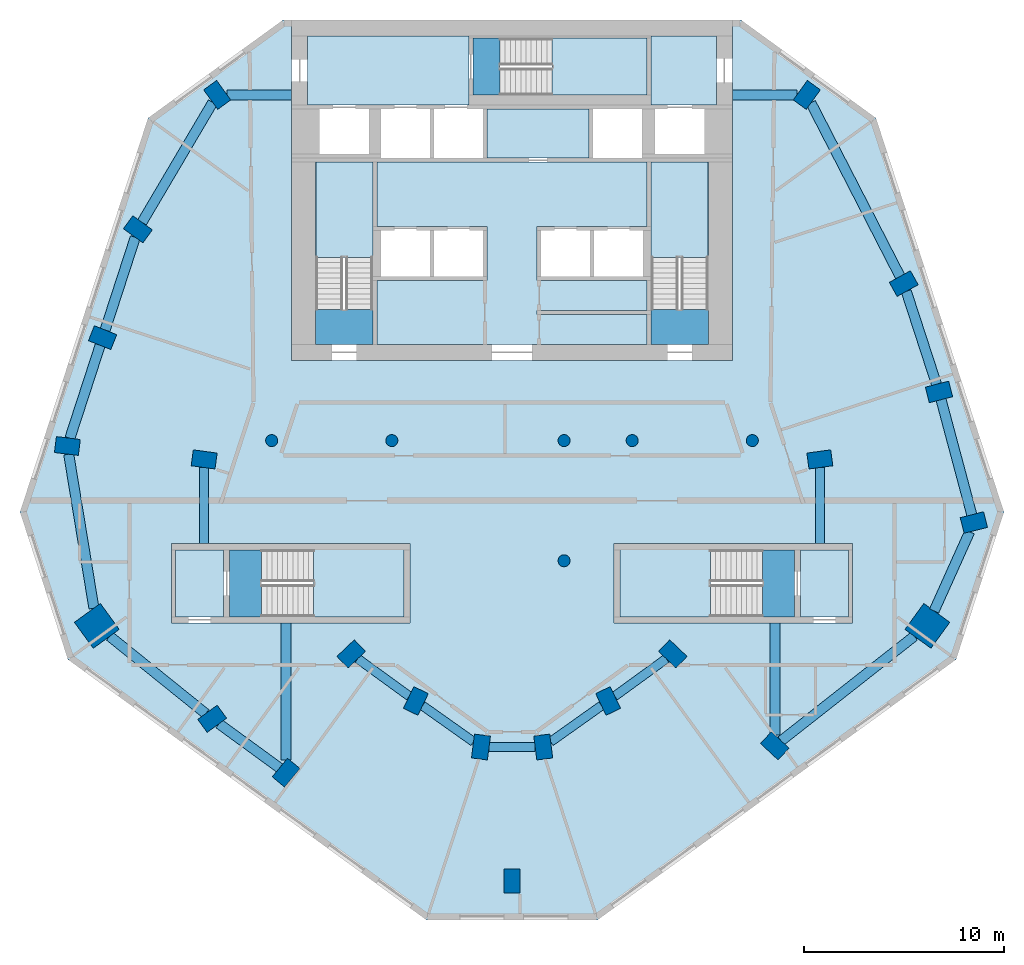
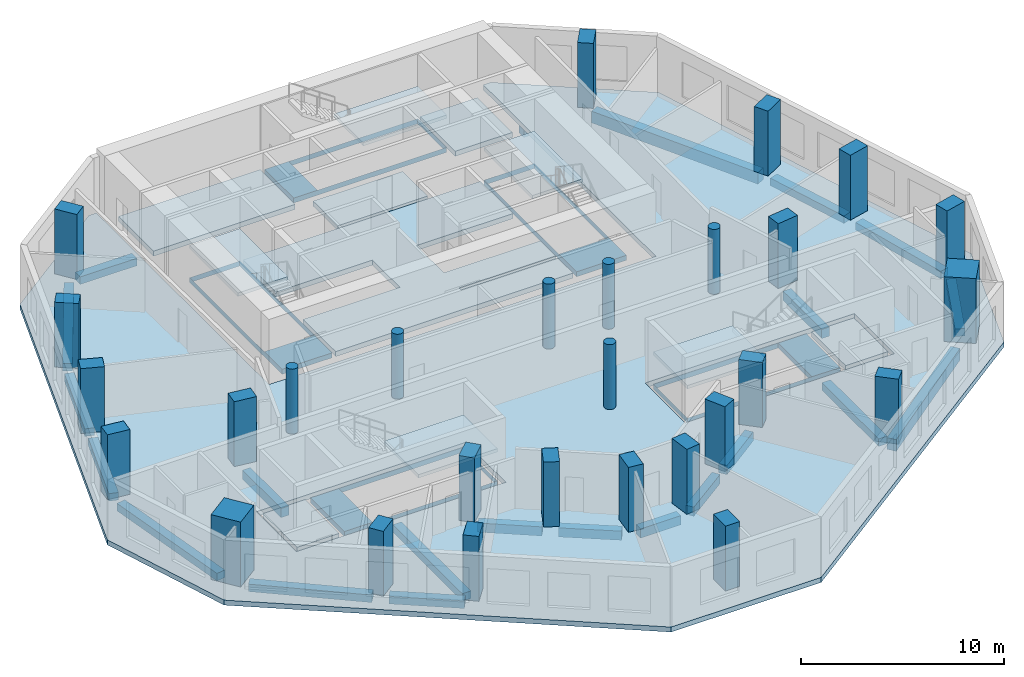
# One storey, part 1 of 9: 28 columns, 22 beams, 17 slabs, 5 elements without a shape of their own.
"""IFC4 building model written with IfcOpenShell, lengths in metres."""

import ifcopenshell
import ifcopenshell.guid

model = None  # the IFC model being written
_history = None  # IfcOwnerHistory: only IFC2X3 demands one
_inside = {}  # id of a spatial element -> (the spatial element, [elements in it])
_under = {}  # id of a project, library or spatial element -> (it, [spatial elements below it])
_declared = {}  # id of a project -> (the project, [libraries it declares])
_typed = {}  # id of a type object -> (the type object, [elements of that type])
_made_of = {}  # id of a material, layer set ... -> (it, [elements and type objects made of it])


def new_model(schema):
    """Start an empty IFC model of exactly this schema.

    Asked for "IFC4X3", IfcOpenShell would pick the latest addendum, in which some entities
    have other attributes; the version numbers below select the first issue.
    IFC2X3 requires an IfcOwnerHistory on every rooted entity: one is made here for all.
    """
    global model, _history
    if schema == "IFC4X3":
        model = ifcopenshell.file(schema_version=(4, 3, 0, 0))
    else:
        model = ifcopenshell.file(schema=schema)
    _inside.clear()
    _under.clear()
    _declared.clear()
    _typed.clear()
    _made_of.clear()
    _history = None
    if model.schema == "IFC2X3":
        org = make("IfcOrganization", Name="unknown")
        user = make(
            "IfcPersonAndOrganization",
            ThePerson=make("IfcPerson", FamilyName="unknown"),
            TheOrganization=org,
        )
        app = make(
            "IfcApplication",
            ApplicationDeveloper=org,
            Version="unknown",
            ApplicationFullName="unknown",
            ApplicationIdentifier="unknown",
        )
        _history = make(
            "IfcOwnerHistory",
            OwningUser=user,
            OwningApplication=app,
            ChangeAction="ADDED",
            CreationDate=0,
        )
    return model


def make(cls, **values):
    """One entity of the class cls with the attributes given. An attribute that is None is left unset."""
    return model.create_entity(
        cls, **{name: value for name, value in values.items() if value is not None}
    )


def rooted(cls, **values):
    """An entity with a GlobalId (a new one), such as an element, a storey or a relation."""
    return make(cls, GlobalId=ifcopenshell.guid.new(), OwnerHistory=_history, **values)


def si_unit(unit_type, name, prefix=None):
    """IfcSIUnit, for example si_unit("LENGTHUNIT", "METRE", prefix="MILLI")."""
    return make("IfcSIUnit", UnitType=unit_type, Prefix=prefix, Name=name)


def assignment(units):
    """IfcUnitAssignment: the units of a project."""
    return None if units is None else make("IfcUnitAssignment", Units=units)


def point(xyz):
    """IfcCartesianPoint."""
    return None if xyz is None else make("IfcCartesianPoint", Coordinates=xyz)


def direction(xyz):
    """IfcDirection."""
    return None if xyz is None else make("IfcDirection", DirectionRatios=xyz)


def frame(location, z_axis=None, x_axis=None):
    """IfcAxis2Placement3D, a coordinate frame: its origin and axes. An axis left out is left unset."""
    return make(
        "IfcAxis2Placement3D",
        Location=point(location),
        Axis=direction(z_axis),
        RefDirection=direction(x_axis),
    )


def frame_2d(location, x_axis=None):
    """IfcAxis2Placement2D, a coordinate frame in the plane: its origin and x axis."""
    return make(
        "IfcAxis2Placement2D", Location=point(location), RefDirection=direction(x_axis)
    )


def origin():
    """The frame at (0, 0, 0) with its axes left unset."""
    return frame((0.0, 0.0, 0.0))


def origin_2d():
    """The frame at (0, 0) in the plane with its x axis left unset."""
    return frame_2d((0.0, 0.0))


def place(relative_to, where):
    """IfcLocalPlacement: puts the frame where relative to a parent placement (None: the world)."""
    return make(
        "IfcLocalPlacement", PlacementRelTo=relative_to, RelativePlacement=where
    )


def context(
    kind, dimensions, precision=None, world=None, true_north=None, identifier=None
):
    """IfcGeometricRepresentationContext, for example the 3D "Model" context."""
    return make(
        "IfcGeometricRepresentationContext",
        ContextIdentifier=identifier,
        ContextType=kind,
        CoordinateSpaceDimension=dimensions,
        Precision=precision,
        WorldCoordinateSystem=world,
        TrueNorth=true_north,
    )


def subcontext(parent, identifier, kind, view, scale=None):
    """IfcGeometricRepresentationSubContext, for example "Body" below "Model"."""
    return make(
        "IfcGeometricRepresentationSubContext",
        ContextIdentifier=identifier,
        ContextType=kind,
        ParentContext=parent,
        TargetScale=scale,
        TargetView=view,
    )


def project(units=None, contexts=None):
    """IfcProject with its units and contexts."""
    return rooted(
        "IfcProject",
        Name="project",
        RepresentationContexts=contexts,
        UnitsInContext=assignment(units),
    )


def spatial(cls, under=None, at=None, **own):
    """A site, building, storey or space (cls), placed at a placement, below another one or the project."""
    s = rooted(cls, ObjectPlacement=at, **own)
    if under is not None:
        _under.setdefault(under.id(), (under, []))[1].append(s)
    return s


def polyline(points):
    """IfcPolyline through the points."""
    return make("IfcPolyline", Points=[point(p) for p in points])


def profile(cls, at=None, kind="AREA", **sizes):
    """A parametric profile (cls). Its sizes go by their IFC names, for example OverallWidth=200.0."""
    return make(cls, ProfileType=kind, Position=at, **sizes)


def rectangle(**sizes):
    """IfcRectangleProfileDef."""
    return profile("IfcRectangleProfileDef", **sizes)


def circle(**sizes):
    """IfcCircleProfileDef."""
    return profile("IfcCircleProfileDef", **sizes)


def outline(outer, holes=None, kind="AREA"):
    """IfcArbitraryClosedProfileDef: a profile drawn as a closed curve; with holes, ...WithVoids."""
    if holes is None:
        return make("IfcArbitraryClosedProfileDef", ProfileType=kind, OuterCurve=outer)
    return make(
        "IfcArbitraryProfileDefWithVoids",
        ProfileType=kind,
        OuterCurve=outer,
        InnerCurves=holes,
    )


def extrude(swept, where, along, depth):
    """IfcExtrudedAreaSolid: the profile swept, set in the frame where, extruded along a direction by depth."""
    return make(
        "IfcExtrudedAreaSolid",
        SweptArea=swept,
        Position=where,
        ExtrudedDirection=direction(along),
        Depth=depth,
    )


def shape(context_of_items, identifier, shape_type, items):
    """IfcShapeRepresentation: the items that make up one representation, for example the "Body"."""
    return make(
        "IfcShapeRepresentation",
        ContextOfItems=context_of_items,
        RepresentationIdentifier=identifier,
        RepresentationType=shape_type,
        Items=items,
    )


def material(Name=None, Category=None):
    """IfcMaterial."""
    return make("IfcMaterial", Name=Name, Category=Category)


def layer(
    of_material, thickness, ventilated=None, Name=None, Category=None, Priority=None
):
    """IfcMaterialLayer: one layer of a wall or slab, of a material (None: an air gap)."""
    return make(
        "IfcMaterialLayer",
        Material=of_material,
        LayerThickness=thickness,
        IsVentilated=ventilated,
        Name=Name,
        Category=Category,
        Priority=Priority,
    )


def layer_set(layers, Name=None):
    """IfcMaterialLayerSet."""
    return make("IfcMaterialLayerSet", MaterialLayers=layers, LayerSetName=Name)


def material_profile(
    of_material, cross_section, Name=None, Category=None, Priority=None
):
    """IfcMaterialProfile: a cross section and its material."""
    return make(
        "IfcMaterialProfile",
        Name=Name,
        Material=of_material,
        Profile=cross_section,
        Priority=Priority,
        Category=Category,
    )


def profile_set(profiles, Name=None, composite=None):
    """IfcMaterialProfileSet."""
    return make(
        "IfcMaterialProfileSet",
        Name=Name,
        MaterialProfiles=profiles,
        CompositeProfile=composite,
    )


def made_of(thing, what):
    """Note that an element or type object is made of a material, layer set ...; save() writes the relation."""
    if what is not None:
        _made_of.setdefault(what.id(), (what, []))[1].append(thing)
    return thing


def type_object(cls, material=None, **own):
    """A type object (cls), such as IfcWallType, which elements share."""
    return made_of(rooted(cls, **own), material)


def element(
    cls,
    number,
    at=None,
    inside=None,
    cuts=None,
    type_object=None,
    material=None,
    context=None,
    identifier="Body",
    shape_type=None,
    held_by="IfcProductDefinitionShape",
    body=None,
    shapes=None,
    **own,
):
    """One element of the class cls, such as IfcWall. Its Tag is "e" and its number.

    at: its placement. inside: the storey or other place that contains it. cuts: it is an
    opening in that element (IfcRelVoidsElement). A single representation is given by context,
    identifier, shape_type and body (its items); several are given by shapes. held_by: the class
    of the entity that holds the representations. save() writes the other relations.
    """
    e = rooted(cls, Tag="e%d" % number, ObjectPlacement=at, **own)
    if body is not None:
        shapes = [shape(context, identifier, shape_type, body)]
    if shapes is not None:
        e.Representation = make(held_by, Representations=shapes)
    if inside is not None:
        _inside.setdefault(inside.id(), (inside, []))[1].append(e)
    if cuts is not None:
        rooted(
            "IfcRelVoidsElement", RelatingBuildingElement=cuts, RelatedOpeningElement=e
        )
    if type_object is not None:
        _typed.setdefault(type_object.id(), (type_object, []))[1].append(e)
    return made_of(e, material)


def aggregate(whole, parts):
    """IfcRelAggregates: a whole, such as a stair, and the parts it consists of."""
    return rooted("IfcRelAggregates", RelatingObject=whole, RelatedObjects=parts)


def save(model, path):
    """Write the relations noted so far, then the file.

    IfcRelAggregates (storeys below a building ...), IfcRelContainedInSpatialStructure (elements
    in a storey), IfcRelDefinesByType, IfcRelAssociatesMaterial and IfcRelDeclares: one each for
    every whole, place, type object, material and project.
    """
    for whole, parts in _under.values():
        aggregate(whole, parts)
    for where, things in _inside.values():
        rooted(
            "IfcRelContainedInSpatialStructure",
            RelatedElements=things,
            RelatingStructure=where,
        )
    for kind, things in _typed.values():
        rooted("IfcRelDefinesByType", RelatedObjects=things, RelatingType=kind)
    for what, things in _made_of.values():
        rooted("IfcRelAssociatesMaterial", RelatedObjects=things, RelatingMaterial=what)
    for by, libraries in _declared.values():
        rooted("IfcRelDeclares", RelatingContext=by, RelatedDefinitions=libraries)
    model.write(path)


model = new_model("IFC4")

# Units and contexts
model_context = context("Model", 3, precision=1e-05, world=origin(), true_north=direction((0.0, 1.0)))
body_context = subcontext(model_context, "Body", "Model", "MODEL_VIEW")
ifc_project = project(units=[si_unit("LENGTHUNIT", "METRE"), si_unit("AREAUNIT", "SQUARE_METRE"), si_unit("VOLUMEUNIT", "CUBIC_METRE"), si_unit("PLANEANGLEUNIT", "RADIAN"), si_unit("MASSUNIT", "GRAM", prefix="KILO")], contexts=[model_context])

# Site, building, storey
site_placement = place(None, origin())
site = spatial("IfcSite", under=ifc_project, at=site_placement, CompositionType="ELEMENT")
building_placement = place(site_placement, origin())
building = spatial("IfcBuilding", under=site, at=building_placement, Name="White Candle Pilgrim Tower", CompositionType="ELEMENT")
storey_placement = place(building_placement, frame((0.0, 0.0, 227.699951171875)))
storey = spatial("IfcBuildingStorey", under=building, at=storey_placement, Name="L53", CompositionType="ELEMENT", Elevation=227.699951171875)

# Columns
ifc_material_1 = material(Name="Concrete C70/85", Category="concrete")
ifc_material_profile_1 = material_profile(ifc_material_1, circle(Radius=0.300048828125, at=origin_2d()), Name="RC-COL D600")
ifc_profile_set_1 = profile_set([ifc_material_profile_1], Name="Concrete C70/85")
column_type_1 = type_object("IfcColumnType", Name="Interior column RC-COL D600 C70/85", PredefinedType="COLUMN", material=ifc_profile_set_1)
for number, where, z_axis, x_axis, name in (
    (1, (58.0, 67.0, 0.0), (0.0, 0.0, 1.0), (1.0, 0.0, 0.0), "L53 column I01"),
    (2, (64.0, 67.0, 0.0), (0.0, 0.0, 1.0), (1.0, 0.0, 0.0), "L53 column I02"),
    (3, (72.60009765625, 61.0, 0.0), (0.0, 0.0, 1.0), (1.0, 0.0, 0.0), "L53 column I03"),
    (4, (72.60009765625, 67.0, 0.0), (0.0, 0.0, 1.0), (1.0, 0.0, 0.0), "L53 column I04"),
    (5, (76.0, 67.0, 0.0), (0.0, 0.0, 1.0), (1.0, 0.0, 0.0), "L53 column I05"),
    (6, (82.0, 67.0, 0.0), (0.0, 0.0, 1.0), (1.0, 0.0, 0.0), "L53 column I06"),
):
    element("IfcColumn", number, at=place(storey_placement, frame(where, z_axis=z_axis, x_axis=x_axis)), inside=storey, type_object=column_type_1, Name=name, PredefinedType="COLUMN", context=body_context, shape_type="SweptSolid", body=[
        extrude(circle(Radius=0.300048828125, at=origin_2d()), origin(), (0.0, 0.0, 1.0), 3.900146484375),
    ])
ifc_material_profile_2 = material_profile(ifc_material_1, rectangle(XDim=1.60009765625, YDim=1.60009765625, at=origin_2d()), Name="RC 1600x1600")
ifc_profile_set_2 = profile_set([ifc_material_profile_2], Name="Concrete C70/85")
column_type_2 = type_object("IfcColumnType", Name="Mega column RC 1600x1600 C70/85", PredefinedType="COLUMN", material=ifc_profile_set_2)
for number, where, z_axis, x_axis, name in (
    (7, (49.27001953125, 57.75, 0.0), (0.0, 0.0, 1.0), (-0.809016994375, -0.587785252292, 0.0), "L53 mega column T01"),
    (8, (90.739990234375, 57.75, 0.0), (0.0, 0.0, 1.0), (0.809016994375, -0.587785252292, 0.0), "L53 mega column T06"),
):
    element("IfcColumn", number, at=place(storey_placement, frame(where, z_axis=z_axis, x_axis=x_axis)), inside=storey, type_object=column_type_2, Name=name, PredefinedType="COLUMN", context=body_context, shape_type="SweptSolid", body=[
        extrude(rectangle(XDim=1.60009765625, YDim=1.60009765625, at=origin_2d()), origin(), (0.0, 0.0, 1.0), 3.900146484375),
    ])
ifc_material_profile_3 = material_profile(ifc_material_1, rectangle(XDim=0.800048828125, YDim=1.199951171875, at=origin_2d()), Name="RC-PR 800x1200")
ifc_profile_set_3 = profile_set([ifc_material_profile_3], Name="Concrete C70/85")
column_type_3 = type_object("IfcColumnType", Name="Perimeter column RC-PR 800x1200 C70/85", PredefinedType="COLUMN", material=ifc_profile_set_3)
for number, where, z_axis, x_axis, name in (
    (9, (55.030029296875, 53.110107421875, 0.0), (0.0, 0.0, 1.0), (-0.58846280644, 0.808524288711, 0.0), "L53 column T02"),
    (10, (58.719970703125, 50.419921875, 0.0), (0.0, 0.0, 1.0), (-0.769310358735, 0.638875239733, 0.0), "L53 column T03"),
    (11, (70.0, 45.0, 0.0), (0.0, 0.0, 1.0), (-1.0, 0.0, 0.0), "L53 column T04"),
    (12, (83.1201171875, 51.760009765625, 0.0), (0.0, 0.0, 1.0), (-0.681998360062, -0.731353701619, 0.0), "L53 column T05"),
    (13, (93.06005859375, 62.909912109375, 0.0), (0.0, 0.0, 1.0), (0.246880623275, -0.969045900797, 0.0), "L53 column T07"),
    (14, (91.320068359375, 69.429931640625, 0.0), (0.0, 0.0, 1.0), (0.246880623275, -0.969045900797, 0.0), "L53 column T08"),
    (15, (89.56005859375, 74.840087890625, 0.0), (0.0, 0.0, 1.0), (0.484809620246, -0.874619707139, 0.0), "L53 column T09"),
    (16, (84.719970703125, 84.260009765625, 0.0), (0.0, 0.0, 1.0), (0.80902725304, -0.587771132193, 0.0), "L53 column T10"),
    (17, (55.280029296875, 84.260009765625, 0.0), (0.0, 0.0, 1.0), (0.80902725304, 0.587771132193, 0.0), "L53 column T11"),
    (18, (51.320068359375, 77.550048828125, 0.0), (0.0, 0.0, 1.0), (0.587107285614, 0.809509132239, 0.0), "L53 column T12"),
    (19, (49.56005859375, 72.139892578125, 0.0), (0.0, 0.0, 1.0), (0.369860269472, 0.929087391512, 0.0), "L53 column T13"),
    (20, (47.800048828125, 66.72998046875, 0.0), (0.0, 0.0, 1.0), (0.121869343405, 0.992546151641, 0.0), "L53 column T14"),
):
    element("IfcColumn", number, at=place(storey_placement, frame(where, z_axis=z_axis, x_axis=x_axis)), inside=storey, type_object=column_type_3, Name=name, PredefinedType="COLUMN", context=body_context, shape_type="SweptSolid", body=[
        extrude(rectangle(XDim=0.800048828125, YDim=1.199951171875, at=origin_2d()), origin(), (0.0, 0.0, 1.0), 3.900146484375),
    ])
ifc_material_profile_4 = material_profile(ifc_material_1, rectangle(XDim=0.800048828125, YDim=1.199951171875, at=origin_2d()), Name="RC-PR 800x1200")
ifc_profile_set_4 = profile_set([ifc_material_profile_4], Name="Concrete C70/85")
column_type_4 = type_object("IfcColumnType", Name="Ring column RC-PR 800x1200 C70/85", PredefinedType="COLUMN", material=ifc_profile_set_4)
for number, where, z_axis, x_axis, name in (
    (21, (61.969970703125, 56.35009765625, 0.0), (0.0, 0.0, 1.0), (-0.689872285383, 0.723931094691, 0.0), "L53 column R01"),
    (22, (65.199951171875, 54.0, 0.0), (0.0, 0.0, 1.0), (-0.901689191761, 0.43238478403, 0.0), "L53 column R02"),
    (23, (68.449951171875, 51.699951171875, 0.0), (0.0, 0.0, 1.0), (-0.992092811428, 0.125506388335, 0.0), "L53 column R03"),
    (24, (71.56005859375, 51.699951171875, 0.0), (0.0, 0.0, 1.0), (-0.992092811428, -0.125506388335, 0.0), "L53 column R04"),
    (25, (74.800048828125, 54.0, 0.0), (0.0, 0.0, 1.0), (-0.901689191761, -0.43238478403, 0.0), "L53 column R05"),
    (26, (78.030029296875, 56.35009765625, 0.0), (0.0, 0.0, 1.0), (-0.689872285383, -0.723931094691, 0.0), "L53 column R06"),
    (27, (85.3701171875, 66.06005859375, 0.0), (0.0, 0.0, 1.0), (0.132602381688, -0.991169313675, 0.0), "L53 column R07"),
    (28, (54.6298828125, 66.06005859375, 0.0), (0.0, 0.0, 1.0), (0.132602381688, 0.991169313675, 0.0), "L53 column R08"),
):
    element("IfcColumn", number, at=place(storey_placement, frame(where, z_axis=z_axis, x_axis=x_axis)), inside=storey, type_object=column_type_4, Name=name, PredefinedType="COLUMN", context=body_context, shape_type="SweptSolid", body=[
        extrude(rectangle(XDim=0.800048828125, YDim=1.199951171875, at=origin_2d()), origin(), (0.0, 0.0, 1.0), 3.900146484375),
    ])

# Beams
ifc_material_2 = material(Name="Concrete C50/60", Category="concrete")
ifc_material_profile_5 = material_profile(ifc_material_2, rectangle(XDim=0.449951171875, YDim=0.550048828125, at=origin_2d()), Name="RC-BM 450x550")
ifc_profile_set_5 = profile_set([ifc_material_profile_5], Name="Concrete C50/60")
beam_type_1 = type_object("IfcBeamType", Name="Ring beam RC-BM 450x550 C50/60", PredefinedType="BEAM", material=ifc_profile_set_5)
beam_1_placement = place(storey_placement, frame((62.298828125, 56.11083984375, -0.574951171875), z_axis=(0.808609951168, -0.588345091653, 0.0), x_axis=(0.588345091653, 0.808609951168, 0.0)))
element("IfcBeam", 29, at=beam_1_placement, inside=storey, type_object=beam_type_1, Name="L53 ring beam R01", PredefinedType="BEAM", context=body_context, shape_type="SweptSolid", body=[
    extrude(rectangle(XDim=0.449951171875, YDim=0.550048828125, at=origin_2d()), origin(), (0.0, 0.0, 1.0), 3.18115234375),
])
beam_2_placement = place(storey_placement, frame((65.53125, 53.765625, -0.574951171875), z_axis=(0.816256463166, -0.577689697277, 0.0), x_axis=(0.577689697277, 0.816256463166, 0.0)))
element("IfcBeam", 30, at=beam_2_placement, inside=storey, type_object=beam_type_1, Name="L53 ring beam R02", PredefinedType="BEAM", context=body_context, shape_type="SweptSolid", body=[
    extrude(rectangle(XDim=0.449951171875, YDim=0.550048828125, at=origin_2d()), origin(), (0.0, 0.0, 1.0), 3.122314453125),
])
beam_3_placement = place(storey_placement, frame((68.853271484375, 51.699951171875, -0.574951171875), z_axis=(1.0, 0.0, 0.0), x_axis=(0.0, 1.0, 0.0)))
element("IfcBeam", 31, at=beam_3_placement, inside=storey, type_object=beam_type_1, Name="L53 ring beam R03", PredefinedType="BEAM", context=body_context, shape_type="SweptSolid", body=[
    extrude(rectangle(XDim=0.449951171875, YDim=0.550048828125, at=origin_2d()), origin(), (0.0, 0.0, 1.0), 2.303466796875),
])
beam_4_placement = place(storey_placement, frame((71.929931640625, 51.962646484375, -0.574951171875), z_axis=(0.815419993855, 0.578869789868, 0.0), x_axis=(-0.578869789868, 0.815419993855, 0.0)))
element("IfcBeam", 32, at=beam_4_placement, inside=storey, type_object=beam_type_1, Name="L53 ring beam R04", PredefinedType="BEAM", context=body_context, shape_type="SweptSolid", body=[
    extrude(rectangle(XDim=0.449951171875, YDim=0.550048828125, at=origin_2d()), origin(), (0.0, 0.0, 1.0), 3.11376953125),
])
beam_5_placement = place(storey_placement, frame((75.12890625, 54.2392578125, -0.574951171875), z_axis=(0.808609951168, 0.588345091653, 0.0), x_axis=(-0.588345091653, 0.808609951168, 0.0)))
element("IfcBeam", 33, at=beam_5_placement, inside=storey, type_object=beam_type_1, Name="L53 ring beam R05", PredefinedType="BEAM", context=body_context, shape_type="SweptSolid", body=[
    extrude(rectangle(XDim=0.449951171875, YDim=0.550048828125, at=origin_2d()), origin(), (0.0, 0.0, 1.0), 3.18115234375),
])
for number, where, z_axis, x_axis, name in (
    (34, (85.3701171875, 65.656494140625, -0.574951171875), (0.0, -1.0, 0.0), (1.0, 0.0, 0.0), "L53 ring beam R06"),
    (35, (54.6298828125, 65.656494140625, -0.574951171875), (0.0, -1.0, 0.0), (1.0, 0.0, 0.0), "L53 ring beam R07"),
):
    element("IfcBeam", number, at=place(storey_placement, frame(where, z_axis=z_axis, x_axis=x_axis)), inside=storey, type_object=beam_type_1, Name=name, PredefinedType="BEAM", context=body_context, shape_type="SweptSolid", body=[
        extrude(rectangle(XDim=0.449951171875, YDim=0.550048828125, at=origin_2d()), origin(), (0.0, 0.0, 1.0), 3.806396484375),
    ])
ifc_material_profile_6 = material_profile(ifc_material_2, rectangle(XDim=0.5, YDim=0.449951171875, at=origin_2d()), Name="RC-BM 500x450")
ifc_profile_set_6 = profile_set([ifc_material_profile_6], Name="Concrete C50/60")
beam_type_2 = type_object("IfcBeamType", Name="Spandrel beam RC-BM 500x450 C50/60", PredefinedType="BEAM", material=ifc_profile_set_6)
beam_6_placement = place(storey_placement, frame((49.915283203125, 57.22998046875, -0.52490234375), z_axis=(0.778778136726, -0.62729946099, 0.0), x_axis=(0.62729946099, 0.778778136726, 0.0)))
element("IfcBeam", 36, at=beam_6_placement, inside=storey, type_object=beam_type_2, Name="L53 spandrel beam T01", PredefinedType="BEAM", context=body_context, shape_type="SweptSolid", body=[
    extrude(rectangle(XDim=0.5, YDim=0.449951171875, at=origin_2d()), origin(), (0.0, 0.0, 1.0), 6.153564453125),
])
beam_7_placement = place(storey_placement, frame((55.36962890625, 52.8623046875, -0.52490234375), z_axis=(0.808061834145, -0.58909767628, 0.0), x_axis=(0.58909767628, 0.808061834145, 0.0)))
element("IfcBeam", 37, at=beam_7_placement, inside=storey, type_object=beam_type_2, Name="L53 spandrel beam T02", PredefinedType="BEAM", context=body_context, shape_type="SweptSolid", body=[
    extrude(rectangle(XDim=0.5, YDim=0.449951171875, at=origin_2d()), origin(), (0.0, 0.0, 1.0), 3.7451171875),
])
beam_8_placement = place(storey_placement, frame((58.719970703125, 51.046142578125, -0.52490234375), z_axis=(0.0, 1.0, 0.0), x_axis=(-1.0, 0.0, 0.0)))
element("IfcBeam", 38, at=beam_8_placement, inside=storey, type_object=beam_type_2, Name="L53 spandrel beam T03", PredefinedType="BEAM", context=body_context, shape_type="SweptSolid", body=[
    extrude(rectangle(XDim=0.5, YDim=0.449951171875, at=origin_2d()), origin(), (0.0, 0.0, 1.0), 6.853759765625),
])
beam_9_placement = place(storey_placement, frame((83.1201171875, 52.306884765625, -0.52490234375), z_axis=(0.0, 1.0, 0.0), x_axis=(-1.0, 0.0, 0.0)))
element("IfcBeam", 39, at=beam_9_placement, inside=storey, type_object=beam_type_2, Name="L53 spandrel beam T04", PredefinedType="BEAM", context=body_context, shape_type="SweptSolid", body=[
    extrude(rectangle(XDim=0.5, YDim=0.449951171875, at=origin_2d()), origin(), (0.0, 0.0, 1.0), 5.593017578125),
])
beam_10_placement = place(storey_placement, frame((91.0751953125, 58.495361328125, -0.52490234375), z_axis=(0.410043403319, 0.912066010437, 0.0), x_axis=(-0.912066010437, 0.410043403319, 0.0)))
element("IfcBeam", 40, at=beam_10_placement, inside=storey, type_object=beam_type_2, Name="L53 spandrel beam T06", PredefinedType="BEAM", context=body_context, shape_type="SweptSolid", body=[
    extrude(rectangle(XDim=0.5, YDim=0.449951171875, at=origin_2d()), origin(), (0.0, 0.0, 1.0), 4.3291015625),
])
beam_11_placement = place(storey_placement, frame((92.956787109375, 63.29638671875, -0.52490234375), z_axis=(-0.257841470678, 0.966187236512, 0.0), x_axis=(-0.966187236512, -0.257841470678, 0.0)))
element("IfcBeam", 41, at=beam_11_placement, inside=storey, type_object=beam_type_2, Name="L53 spandrel beam T07", PredefinedType="BEAM", context=body_context, shape_type="SweptSolid", body=[
    extrude(rectangle(XDim=0.5, YDim=0.449951171875, at=origin_2d()), origin(), (0.0, 0.0, 1.0), 5.9482421875),
])
beam_12_placement = place(storey_placement, frame((91.196044921875, 69.811279296875, -0.52490234375), z_axis=(-0.309391453236, 0.950934765725, 0.0), x_axis=(-0.950934765725, -0.309391453236, 0.0)))
element("IfcBeam", 42, at=beam_12_placement, inside=storey, type_object=beam_type_2, Name="L53 spandrel beam T08", PredefinedType="BEAM", context=body_context, shape_type="SweptSolid", body=[
    extrude(rectangle(XDim=0.5, YDim=0.449951171875, at=origin_2d()), origin(), (0.0, 0.0, 1.0), 4.880615234375),
])
for number, where, z_axis, x_axis, name in (
    (43, (84.2255859375, 84.260009765625, -0.52490234375), (-1.0, 0.0, 0.0), (0.0, -1.0, 0.0), "L53 spandrel beam T10"),
    (44, (55.7744140625, 84.260009765625, -0.52490234375), (1.0, 0.0, 0.0), (0.0, 1.0, 0.0), "L53 spandrel beam T11"),
):
    element("IfcBeam", number, at=place(storey_placement, frame(where, z_axis=z_axis, x_axis=x_axis)), inside=storey, type_object=beam_type_2, Name=name, PredefinedType="BEAM", context=body_context, shape_type="SweptSolid", body=[
        extrude(rectangle(XDim=0.5, YDim=0.449951171875, at=origin_2d()), origin(), (0.0, 0.0, 1.0), 3.2255859375),
    ])
beam_13_placement = place(storey_placement, frame((55.058349609375, 83.884521484375, -0.52490234375), z_axis=(-0.508250169427, -0.861209478163, 0.0), x_axis=(0.861209478163, -0.508250169427, 0.0)))
element("IfcBeam", 45, at=beam_13_placement, inside=storey, type_object=beam_type_2, Name="L53 spandrel beam T12", PredefinedType="BEAM", context=body_context, shape_type="SweptSolid", body=[
    extrude(rectangle(XDim=0.5, YDim=0.449951171875, at=origin_2d()), origin(), (0.0, 0.0, 1.0), 6.95361328125),
])
beam_14_placement = place(storey_placement, frame((51.18994140625, 77.150146484375, -0.52490234375), z_axis=(-0.30935824251, -0.950945570362, 0.0), x_axis=(0.950945570362, -0.30935824251, 0.0)))
element("IfcBeam", 46, at=beam_14_placement, inside=storey, type_object=beam_type_2, Name="L53 spandrel beam T13", PredefinedType="BEAM", context=body_context, shape_type="SweptSolid", body=[
    extrude(rectangle(XDim=0.5, YDim=0.449951171875, at=origin_2d()), origin(), (0.0, 0.0, 1.0), 4.86767578125),
])
beam_15_placement = place(storey_placement, frame((49.43603515625, 71.7587890625, -0.52490234375), z_axis=(-0.309376736615, -0.950939553726, 0.0), x_axis=(0.950939553726, -0.309376736615, 0.0)))
element("IfcBeam", 47, at=beam_15_placement, inside=storey, type_object=beam_type_2, Name="L53 spandrel beam T14", PredefinedType="BEAM", context=body_context, shape_type="SweptSolid", body=[
    extrude(rectangle(XDim=0.5, YDim=0.449951171875, at=origin_2d()), origin(), (0.0, 0.0, 1.0), 4.880859375),
])
beam_16_placement = place(storey_placement, frame((47.8671875, 66.318603515625, -0.52490234375), z_axis=(0.161556298314, -0.986863497387, 0.0), x_axis=(0.986863497387, 0.161556298314, 0.0)))
element("IfcBeam", 48, at=beam_16_placement, inside=storey, type_object=beam_type_2, Name="L53 spandrel beam T15", PredefinedType="BEAM", context=body_context, shape_type="SweptSolid", body=[
    extrude(rectangle(XDim=0.5, YDim=0.449951171875, at=origin_2d()), origin(), (0.0, 0.0, 1.0), 7.787109375),
])
ifc_material_profile_7 = material_profile(ifc_material_2, rectangle(XDim=0.5, YDim=0.699951171875, at=origin_2d()), Name="RC-BM 500x700")
ifc_profile_set_7 = profile_set([ifc_material_profile_7], Name="Concrete C50/60")
beam_type_3 = type_object("IfcBeamType", Name="Spandrel beam RC-BM 500x700 C50/60", PredefinedType="BEAM", material=ifc_profile_set_7)
beam_17_placement = place(storey_placement, frame((83.438232421875, 52.01025390625, -0.64990234375), z_axis=(0.786178058268, 0.618000049109, 0.0), x_axis=(-0.618000049109, 0.786178058268, 0.0)))
element("IfcBeam", 49, at=beam_17_placement, inside=storey, type_object=beam_type_3, Name="L53 spandrel beam T05", PredefinedType="BEAM", context=body_context, shape_type="SweptSolid", body=[
    extrude(rectangle(XDim=0.5, YDim=0.699951171875, at=origin_2d()), origin(), (0.0, 0.0, 1.0), 8.4560546875),
])
beam_18_placement = place(storey_placement, frame((89.377197265625, 75.196044921875, -0.64990234375), z_axis=(-0.457020130081, 0.889456351206, 0.0), x_axis=(-0.889456351206, -0.457020130081, 0.0)))
element("IfcBeam", 50, at=beam_18_placement, inside=storey, type_object=beam_type_3, Name="L53 spandrel beam T09", PredefinedType="BEAM", context=body_context, shape_type="SweptSolid", body=[
    extrude(rectangle(XDim=0.5, YDim=0.699951171875, at=origin_2d()), origin(), (0.0, 0.0, 1.0), 9.7421875),
])

# Slabs
ifc_material_3 = material(Name="Concrete C40/50", Category="concrete")
ifc_layer_1 = layer(ifc_material_3, 0.300048828125)
ifc_layer_set_1 = layer_set([ifc_layer_1], Name="Core floor slab 300 mm Concrete C40/50")
slab_type_1 = type_object("IfcSlabType", Name="Core floor slab 300 mm Concrete C40/50", PredefinedType="FLOOR", material=ifc_layer_set_1)
slab_1_placement = place(storey_placement, frame((0.0, 0.0, -0.300048828125)))
element("IfcSlab", 51, at=slab_1_placement, inside=storey, type_object=slab_type_1, Name="CF-L53-01", PredefinedType="FLOOR", context=body_context, shape_type="SweptSolid", body=[
    extrude(outline(polyline([(55.60009765625, 58.199951171875), (53.199951171875, 58.199951171875), (53.199951171875, 61.550048828125), (55.60009765625, 61.550048828125), (55.60009765625, 58.199951171875)])), origin(), (0.0, 0.0, 1.0), 0.300048828125),
])
slab_2_placement = place(storey_placement, frame((0.0, 0.0, -0.300048828125)))
element("IfcSlab", 52, at=slab_2_placement, inside=storey, type_object=slab_type_1, Name="CF-L53-02", PredefinedType="FLOOR", context=body_context, shape_type="SweptSolid", body=[
    extrude(outline(polyline([(55.89990234375, 58.199951171875), (55.89990234375, 61.550048828125), (64.60009765625, 61.550048828125), (64.60009765625, 58.199951171875), (55.89990234375, 58.199951171875)]), holes=[polyline([(57.501953125, 61.548095703125), (57.501953125, 58.201904296875), (64.597900390625, 58.201904296875), (64.597900390625, 61.548095703125), (57.501953125, 61.548095703125)])]), origin(), (0.0, 0.0, 1.0), 0.300048828125),
])
slab_3_placement = place(storey_placement, frame((0.0, 0.0, -0.300048828125)))
element("IfcSlab", 53, at=slab_3_placement, inside=storey, type_object=slab_type_1, Name="CF-L53-03", PredefinedType="FLOOR", context=body_context, shape_type="SweptSolid", body=[
    extrude(outline(polyline([(75.39990234375, 58.199951171875), (75.39990234375, 61.550048828125), (84.10009765625, 61.550048828125), (84.10009765625, 58.199951171875), (75.39990234375, 58.199951171875)]), holes=[polyline([(82.498046875, 58.201904296875), (82.498046875, 61.548095703125), (75.402099609375, 61.548095703125), (75.402099609375, 58.201904296875), (82.498046875, 58.201904296875)])]), origin(), (0.0, 0.0, 1.0), 0.300048828125),
])
slab_4_placement = place(storey_placement, frame((0.0, 0.0, -0.300048828125)))
element("IfcSlab", 54, at=slab_4_placement, inside=storey, type_object=slab_type_1, Name="CF-L53-04", PredefinedType="FLOOR", context=body_context, shape_type="SweptSolid", body=[
    extrude(outline(polyline([(86.800048828125, 58.199951171875), (84.39990234375, 58.199951171875), (84.39990234375, 61.550048828125), (86.800048828125, 61.550048828125), (86.800048828125, 58.199951171875)])), origin(), (0.0, 0.0, 1.0), 0.300048828125),
])
slab_5_placement = place(storey_placement, frame((0.0, 0.0, -0.300048828125)))
element("IfcSlab", 55, at=slab_5_placement, inside=storey, type_object=slab_type_1, Name="CF-L53-05", PredefinedType="FLOOR", context=body_context, shape_type="SweptSolid", body=[
    extrude(outline(polyline([(76.949951171875, 71.800048828125), (76.949951171875, 73.300048828125), (76.949951171875, 73.5), (76.949951171875, 75.0), (76.949951171875, 75.199951171875), (76.949951171875, 77.5), (76.949951171875, 77.699951171875), (76.949951171875, 80.89990234375), (79.800048828125, 80.89990234375), (79.800048828125, 71.800048828125), (76.949951171875, 71.800048828125)]), holes=[polyline([(76.951904296875, 73.552001953125), (79.798095703125, 73.552001953125), (79.798095703125, 80.89794921875), (76.951904296875, 80.89794921875), (76.951904296875, 73.552001953125)])]), origin(), (0.0, 0.0, 1.0), 0.300048828125),
])
slab_6_placement = place(storey_placement, frame((0.0, 0.0, -0.300048828125)))
element("IfcSlab", 56, at=slab_6_placement, inside=storey, type_object=slab_type_1, Name="CF-L53-06", PredefinedType="FLOOR", context=body_context, shape_type="SweptSolid", body=[
    extrude(outline(polyline([(63.25, 71.800048828125), (63.25, 75.0), (68.75, 75.0), (68.75, 75.199951171875), (68.75, 77.5), (68.75, 77.699951171875), (63.25, 77.699951171875), (63.25, 80.89990234375), (76.75, 80.89990234375), (76.75, 77.699951171875), (71.25, 77.699951171875), (71.25, 77.5), (71.25, 75.199951171875), (71.25, 75.0), (76.75, 75.0), (76.75, 73.5), (71.25, 73.5), (71.25, 73.300048828125), (76.75, 73.300048828125), (76.75, 71.800048828125), (63.25, 71.800048828125)])), origin(), (0.0, 0.0, 1.0), 0.300048828125),
])
slab_7_placement = place(storey_placement, frame((0.0, 0.0, -0.300048828125)))
element("IfcSlab", 57, at=slab_7_placement, inside=storey, type_object=slab_type_1, Name="CF-L53-07", PredefinedType="FLOOR", context=body_context, shape_type="SweptSolid", body=[
    extrude(outline(polyline([(60.199951171875, 71.800048828125), (60.199951171875, 80.89990234375), (63.050048828125, 80.89990234375), (63.050048828125, 77.699951171875), (63.050048828125, 77.5), (63.050048828125, 75.199951171875), (63.050048828125, 75.0), (63.050048828125, 71.800048828125), (60.199951171875, 71.800048828125)]), holes=[polyline([(60.201904296875, 73.552001953125), (63.048095703125, 73.552001953125), (63.048095703125, 80.89794921875), (60.201904296875, 80.89794921875), (60.201904296875, 73.552001953125)])]), origin(), (0.0, 0.0, 1.0), 0.300048828125),
])
slab_8_placement = place(storey_placement, frame((0.0, 0.0, -0.300048828125)))
element("IfcSlab", 58, at=slab_8_placement, inside=storey, type_object=slab_type_1, Name="CF-L53-08", PredefinedType="FLOOR", context=body_context, shape_type="SweptSolid", body=[
    extrude(outline(polyline([(59.800048828125, 87.199951171875), (67.85009765625, 87.199951171875), (67.85009765625, 87.10009765625), (67.85009765625, 84.25), (67.85009765625, 83.75), (59.800048828125, 83.75), (59.800048828125, 87.199951171875)])), origin(), (0.0, 0.0, 1.0), 0.300048828125),
])
slab_9_placement = place(storey_placement, frame((0.0, 0.0, -0.300048828125)))
element("IfcSlab", 59, at=slab_9_placement, inside=storey, type_object=slab_type_1, Name="CF-L53-09", PredefinedType="FLOOR", context=body_context, shape_type="SweptSolid", body=[
    extrude(outline(polyline([(80.199951171875, 87.199951171875), (80.199951171875, 83.75), (76.949951171875, 83.75), (76.949951171875, 84.25), (76.949951171875, 87.10009765625), (76.949951171875, 87.199951171875), (80.199951171875, 87.199951171875)])), origin(), (0.0, 0.0, 1.0), 0.300048828125),
])
slab_10_placement = place(storey_placement, frame((0.0, 0.0, -0.300048828125)))
element("IfcSlab", 60, at=slab_10_placement, inside=storey, type_object=slab_type_1, Name="CF-L53-10", PredefinedType="FLOOR", context=body_context, shape_type="SweptSolid", body=[
    extrude(outline(polyline([(68.050048828125, 87.10009765625), (76.75, 87.10009765625), (76.75, 84.25), (68.050048828125, 84.25), (68.050048828125, 87.10009765625)]), holes=[polyline([(69.402099609375, 87.097900390625), (69.402099609375, 84.251953125), (76.748046875, 84.251953125), (76.748046875, 87.097900390625), (69.402099609375, 87.097900390625)])]), origin(), (0.0, 0.0, 1.0), 0.300048828125),
])
slab_11_placement = place(storey_placement, frame((0.0, 0.0, -0.300048828125)))
element("IfcSlab", 61, at=slab_11_placement, inside=storey, type_object=slab_type_1, Name="CF-L53-11", PredefinedType="FLOOR", context=body_context, shape_type="SweptSolid", body=[
    extrude(outline(polyline([(68.75, 83.550048828125), (73.85009765625, 83.550048828125), (73.85009765625, 81.10009765625), (68.75, 81.10009765625), (68.75, 83.550048828125)])), origin(), (0.0, 0.0, 1.0), 0.300048828125),
])
ifc_layer_2 = layer(ifc_material_3, 0.300048828125)
ifc_layer_set_2 = layer_set([ifc_layer_2], Name="Floor slab 300 REI 120")
slab_type_2 = type_object("IfcSlabType", Name="Floor slab 300 REI 120", PredefinedType="FLOOR", material=ifc_layer_set_2)
slab_12_placement = place(storey_placement, frame((0.0, 0.0, -0.300048828125)))
element("IfcSlab", 62, at=slab_12_placement, inside=storey, type_object=slab_type_2, Name="L53 floor slab", PredefinedType="FLOOR", context=body_context, shape_type="SweptSolid", body=[
    extrude(outline(polyline([(65.729736328125, 43.06201171875), (74.270263671875, 43.06201171875), (92.1728515625, 56.06884765625), (94.565185546875, 63.431884765625), (88.172607421875, 83.106201171875), (81.43701171875, 88.0), (81.0, 88.0), (81.0, 71.0), (59.0, 71.0), (59.0, 88.0), (58.56298828125, 88.0), (51.827392578125, 83.106201171875), (45.434814453125, 63.431884765625), (47.8271484375, 56.06884765625), (65.729736328125, 43.06201171875)]), holes=[polyline([(53.0, 57.89990234375), (53.0, 61.85009765625), (64.89990234375, 61.85009765625), (64.89990234375, 57.89990234375), (53.0, 57.89990234375)]), polyline([(75.10009765625, 57.89990234375), (75.10009765625, 61.85009765625), (87.0, 61.85009765625), (87.0, 57.89990234375), (75.10009765625, 57.89990234375)])]), origin(), (0.0, 0.0, 1.0), 0.300048828125),
])

# Stair, slab
stair_type_1 = type_object("IfcStairType", Name="Exit stair 1 flight width 1350 mm", PredefinedType="HALF_TURN_STAIR", material=ifc_material_3)
stair_1_placement = place(storey_placement, origin())
stair_1 = element("IfcStair", 63, at=stair_1_placement, inside=storey, type_object=stair_type_1, Name="L53 stair 1", PredefinedType="NOTDEFINED")
ifc_layer_3 = layer(ifc_material_3, 0.199951171875)
ifc_layer_set_3 = layer_set([ifc_layer_3], Name="Stair landing Concrete C40/50")
slab_type_3 = type_object("IfcSlabType", Name="Stair landing Concrete C40/50", PredefinedType="LANDING", material=ifc_layer_set_3)
slab_13_placement = place(storey_placement, frame((0.0, 0.0, 1.75)))
slab_13 = element("IfcSlab", 64, at=slab_13_placement, type_object=slab_type_3, Name="ST1 landing 1", PredefinedType="LANDING", context=body_context, shape_type="SweptSolid", body=[
    extrude(outline(polyline([(63.052001953125, 76.14794921875), (60.197998046875, 76.14794921875), (60.197998046875, 80.902099609375), (63.052001953125, 80.902099609375), (63.052001953125, 76.14794921875)])), origin(), (0.0, 0.0, 1.0), 0.199951171875),
])
aggregate(stair_1, [slab_13])

stair_type_2 = type_object("IfcStairType", Name="Exit stair 2 flight width 1350 mm", PredefinedType="HALF_TURN_STAIR", material=ifc_material_3)
stair_2_placement = place(storey_placement, origin())
stair_2 = element("IfcStair", 65, at=stair_2_placement, inside=storey, type_object=stair_type_2, Name="L53 stair 2", PredefinedType="NOTDEFINED")
slab_14_placement = place(storey_placement, frame((0.0, 0.0, 1.75)))
slab_14 = element("IfcSlab", 66, at=slab_14_placement, type_object=slab_type_3, Name="ST2 landing 1", PredefinedType="LANDING", context=body_context, shape_type="SweptSolid", body=[
    extrude(outline(polyline([(79.802001953125, 76.14794921875), (76.947998046875, 76.14794921875), (76.947998046875, 80.902099609375), (79.802001953125, 80.902099609375), (79.802001953125, 76.14794921875)])), origin(), (0.0, 0.0, 1.0), 0.199951171875),
])
aggregate(stair_2, [slab_14])

stair_type_3 = type_object("IfcStairType", Name="Exit stair 3 flight width 1350 mm", PredefinedType="HALF_TURN_STAIR", material=ifc_material_3)
stair_3_placement = place(storey_placement, origin())
stair_3 = element("IfcStair", 67, at=stair_3_placement, inside=storey, type_object=stair_type_3, Name="L53 stair 3", PredefinedType="NOTDEFINED")
slab_15_placement = place(storey_placement, frame((0.0, 0.0, 1.75)))
slab_15 = element("IfcSlab", 68, at=slab_15_placement, type_object=slab_type_3, Name="ST3 landing 1", PredefinedType="LANDING", context=body_context, shape_type="SweptSolid", body=[
    extrude(outline(polyline([(71.998046875, 84.248046875), (71.998046875, 87.10205078125), (76.751953125, 87.10205078125), (76.751953125, 84.248046875), (71.998046875, 84.248046875)])), origin(), (0.0, 0.0, 1.0), 0.199951171875),
])
aggregate(stair_3, [slab_15])

stair_type_4 = type_object("IfcStairType", Name="Exit stair 4 flight width 1600 mm", PredefinedType="HALF_TURN_STAIR", material=ifc_material_3)
stair_4_placement = place(storey_placement, origin())
stair_4 = element("IfcStair", 69, at=stair_4_placement, inside=storey, type_object=stair_type_4, Name="L53 stair 4", PredefinedType="NOTDEFINED")
slab_16_placement = place(storey_placement, frame((0.0, 0.0, 1.75)))
slab_16 = element("IfcSlab", 70, at=slab_16_placement, type_object=slab_type_3, Name="ST4 landing 1", PredefinedType="LANDING", context=body_context, shape_type="SweptSolid", body=[
    extrude(outline(polyline([(79.902099609375, 61.552001953125), (79.902099609375, 58.197998046875), (75.39794921875, 58.197998046875), (75.39794921875, 61.552001953125), (79.902099609375, 61.552001953125)])), origin(), (0.0, 0.0, 1.0), 0.199951171875),
])
aggregate(stair_4, [slab_16])

stair_type_5 = type_object("IfcStairType", Name="Exit stair 5 flight width 1600 mm", PredefinedType="HALF_TURN_STAIR", material=ifc_material_3)
stair_5_placement = place(storey_placement, origin())
stair_5 = element("IfcStair", 71, at=stair_5_placement, inside=storey, type_object=stair_type_5, Name="L53 stair 5", PredefinedType="NOTDEFINED")
slab_17_placement = place(storey_placement, frame((0.0, 0.0, 1.75)))
slab_17 = element("IfcSlab", 72, at=slab_17_placement, type_object=slab_type_3, Name="ST5 landing 1", PredefinedType="LANDING", context=body_context, shape_type="SweptSolid", body=[
    extrude(outline(polyline([(60.097900390625, 58.197998046875), (60.097900390625, 61.552001953125), (64.60205078125, 61.552001953125), (64.60205078125, 58.197998046875), (60.097900390625, 58.197998046875)])), origin(), (0.0, 0.0, 1.0), 0.199951171875),
])
aggregate(stair_5, [slab_17])

save(model, "model.ifc")
